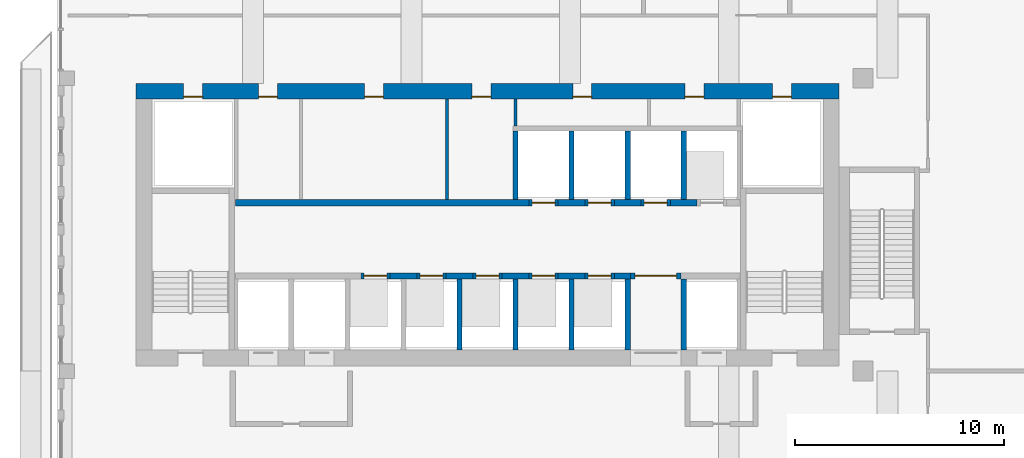
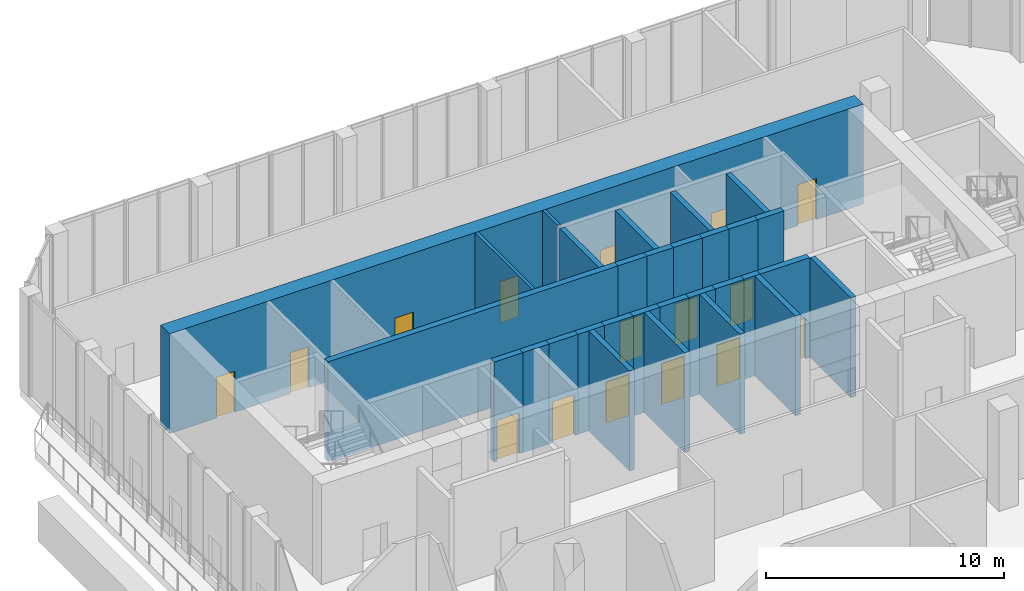
# One storey, part 12 of 18: 30 walls, 16 doors, 16 openings.
"""IFC4 building model written with IfcOpenShell, lengths in metres."""

from ifc_helpers import new_model, si_unit, direction, frame, frame_2d, origin, place, context, subcontext, project, spatial, rectangle, extrude, source, transform, mapped, material, layer, layer_set, type_object, element, fill, save


model = new_model("IFC4")

# Units and contexts
model_context = context("Model", 3, precision=1e-05, world=origin(), true_north=direction((0.0, 1.0)))
body_context = subcontext(model_context, "Body", "Model", "MODEL_VIEW")
ifc_project = project(units=[si_unit("LENGTHUNIT", "METRE"), si_unit("AREAUNIT", "SQUARE_METRE"), si_unit("VOLUMEUNIT", "CUBIC_METRE"), si_unit("PLANEANGLEUNIT", "RADIAN"), si_unit("MASSUNIT", "GRAM", prefix="KILO")], contexts=[model_context])

# Site, building, storey
site_placement = place(None, origin())
site = spatial("IfcSite", under=ifc_project, at=site_placement, CompositionType="ELEMENT")
building_placement = place(site_placement, origin())
building = spatial("IfcBuilding", under=site, at=building_placement, Name="Kilnfold Tower and Market Hall", CompositionType="ELEMENT")
storey_placement = place(building_placement, frame((0.0, 0.0, 233.60009765625)))
storey = spatial("IfcBuildingStorey", under=building, at=storey_placement, Name="L56", CompositionType="ELEMENT", Elevation=233.60009765625)

# Wall, openings, doors
ifc_material_1 = material(Name="Concrete C60", Category="concrete")
ifc_layer_1 = layer(ifc_material_1, 0.75)
ifc_layer_set_1 = layer_set([ifc_layer_1], Name="Concrete C60")
wall_type_1 = type_object("IfcWallType", Name="CORE WALL 750 C60", PredefinedType="SHEAR", material=ifc_layer_set_1)
shared_shape_1 = source(origin(), body_context, "Body", "SweptSolid", [
    extrude(rectangle(XDim=33.60009765625, YDim=0.75, at=frame_2d((16.800048828125, 0.0))), origin(), (0.0, 0.0, 1.0), 5.119873046875),
])
wall_1_placement = place(storey_placement, frame((-15.75, 21.375, 0.0), z_axis=(0.0, 0.0, 1.0), x_axis=(1.0, 0.0, 0.0)))
wall_1 = element("IfcWall", 1, at=wall_1_placement, inside=storey, type_object=wall_type_1, Name="Core outer wall north", PredefinedType="SHEAR", context=body_context, shape_type="MappedRepresentation", body=[
    mapped(shared_shape_1, transform((0.0, 0.0, 0.0))),
])
opening_1_placement = place(wall_1_placement, frame((5.85791015625, 0.0, 0.0)))
opening_1 = element("IfcOpeningElement", 2, at=opening_1_placement, cuts=wall_1, Name="Opening KD1", PredefinedType="OPENING", context=body_context, shape_type="SweptSolid", body=[
    extrude(rectangle(XDim=0.89990234375, YDim=2.10009765625, at=frame_2d((0.449951171875, 1.050048828125))), frame((0.0, 0.385009765625, 0.0), z_axis=(0.0, -1.0, 0.0), x_axis=(1.0, 0.0, 0.0)), (0.0, 0.0, 1.0), 0.77001953125),
])
opening_2_placement = place(wall_1_placement, frame((10.923095703125, 0.0, 0.0)))
opening_2 = element("IfcOpeningElement", 3, at=opening_2_placement, cuts=wall_1, Name="Opening KD1", PredefinedType="OPENING", context=body_context, shape_type="SweptSolid", body=[
    extrude(rectangle(XDim=0.89990234375, YDim=2.10009765625, at=frame_2d((0.449951171875, 1.050048828125))), frame((0.0, 0.385009765625, 0.0), z_axis=(0.0, -1.0, 0.0), x_axis=(1.0, 0.0, 0.0)), (0.0, 0.0, 1.0), 0.77001953125),
])
opening_3_placement = place(wall_1_placement, frame((16.05517578125, 0.0, 0.0)))
opening_3 = element("IfcOpeningElement", 4, at=opening_3_placement, cuts=wall_1, Name="Opening KD1", PredefinedType="OPENING", context=body_context, shape_type="SweptSolid", body=[
    extrude(rectangle(XDim=0.89990234375, YDim=2.10009765625, at=frame_2d((0.449951171875, 1.050048828125))), frame((0.0, 0.385009765625, 0.0), z_axis=(0.0, -1.0, 0.0), x_axis=(1.0, 0.0, 0.0)), (0.0, 0.0, 1.0), 0.77001953125),
])
opening_4_placement = place(wall_1_placement, frame((20.879150390625, 0.0, 0.0)))
opening_4 = element("IfcOpeningElement", 5, at=opening_4_placement, cuts=wall_1, Name="Opening KD1", PredefinedType="OPENING", context=body_context, shape_type="SweptSolid", body=[
    extrude(rectangle(XDim=0.89990234375, YDim=2.10009765625, at=frame_2d((0.449951171875, 1.050048828125))), frame((0.0, 0.385009765625, 0.0), z_axis=(0.0, -1.0, 0.0), x_axis=(1.0, 0.0, 0.0)), (0.0, 0.0, 1.0), 0.77001953125),
])
opening_5_placement = place(wall_1_placement, frame((26.2392578125, 0.0, 0.0)))
opening_5 = element("IfcOpeningElement", 6, at=opening_5_placement, cuts=wall_1, Name="Opening KD1", PredefinedType="OPENING", context=body_context, shape_type="SweptSolid", body=[
    extrude(rectangle(XDim=0.89990234375, YDim=2.10009765625, at=frame_2d((0.449951171875, 1.050048828125))), frame((0.0, 0.385009765625, 0.0), z_axis=(0.0, -1.0, 0.0), x_axis=(1.0, 0.0, 0.0)), (0.0, 0.0, 1.0), 0.77001953125),
])
opening_6_placement = place(wall_1_placement, frame((2.27490234375, 0.0, 0.0)))
opening_6 = element("IfcOpeningElement", 7, at=opening_6_placement, cuts=wall_1, Name="Opening KD1", PredefinedType="OPENING", context=body_context, shape_type="SweptSolid", body=[
    extrude(rectangle(XDim=0.89990234375, YDim=2.10009765625, at=frame_2d((0.449951171875, 1.050048828125))), frame((0.0, 0.385009765625, 0.0), z_axis=(0.0, -1.0, 0.0), x_axis=(1.0, 0.0, 0.0)), (0.0, 0.0, 1.0), 0.77001953125),
])
opening_7_placement = place(wall_1_placement, frame((30.425048828125, 0.0, 0.0)))
opening_7 = element("IfcOpeningElement", 8, at=opening_7_placement, cuts=wall_1, Name="Opening KD1", PredefinedType="OPENING", context=body_context, shape_type="SweptSolid", body=[
    extrude(rectangle(XDim=0.89990234375, YDim=2.10009765625, at=frame_2d((0.449951171875, 1.050048828125))), frame((0.0, 0.385009765625, 0.0), z_axis=(0.0, -1.0, 0.0), x_axis=(1.0, 0.0, 0.0)), (0.0, 0.0, 1.0), 0.77001953125),
])
ifc_material_2 = material(Name="Steel door set with fire-resisting leaf", Category="steel")
door_type_1 = type_object("IfcDoorType", Name="SERVICE DOOR 900X2100", OperationType="NOTDEFINED", PredefinedType="DOOR", material=ifc_material_2)
door_1_placement = place(opening_1_placement, origin())
door_1 = element("IfcDoor", 9, at=door_1_placement, inside=storey, type_object=door_type_1, Name="Core service door", OperationType="SINGLE_SWING_LEFT", OverallHeight=2.10009765625, OverallWidth=0.89990234375, PredefinedType="DOOR", context=body_context, shape_type="SweptSolid", body=[
    extrude(rectangle(XDim=0.89990234375, YDim=2.10009765625, at=frame_2d((0.449951171875, 1.050048828125))), frame((0.0, -0.22998046875, 0.0), z_axis=(0.0, -1.0, 0.0), x_axis=(1.0, 0.0, 0.0)), (0.0, 0.0, 1.0), 0.050048828125),
])
fill(opening_1, door_1)
door_2_placement = place(opening_2_placement, origin())
door_2 = element("IfcDoor", 10, at=door_2_placement, inside=storey, type_object=door_type_1, Name="Core service door", OperationType="SINGLE_SWING_RIGHT", OverallHeight=2.10009765625, OverallWidth=0.89990234375, PredefinedType="DOOR", context=body_context, shape_type="SweptSolid", body=[
    extrude(rectangle(XDim=0.89990234375, YDim=2.10009765625, at=frame_2d((0.449951171875, 1.050048828125))), frame((0.0, -0.22998046875, 0.0), z_axis=(0.0, -1.0, 0.0), x_axis=(1.0, 0.0, 0.0)), (0.0, 0.0, 1.0), 0.050048828125),
])
fill(opening_2, door_2)
door_3_placement = place(opening_3_placement, origin())
door_3 = element("IfcDoor", 11, at=door_3_placement, inside=storey, type_object=door_type_1, Name="Core service door", OperationType="SINGLE_SWING_LEFT", OverallHeight=2.10009765625, OverallWidth=0.89990234375, PredefinedType="DOOR", context=body_context, shape_type="SweptSolid", body=[
    extrude(rectangle(XDim=0.89990234375, YDim=2.10009765625, at=frame_2d((0.449951171875, 1.050048828125))), frame((0.0, -0.22998046875, 0.0), z_axis=(0.0, -1.0, 0.0), x_axis=(1.0, 0.0, 0.0)), (0.0, 0.0, 1.0), 0.050048828125),
])
fill(opening_3, door_3)
door_4_placement = place(opening_4_placement, origin())
door_4 = element("IfcDoor", 12, at=door_4_placement, inside=storey, type_object=door_type_1, Name="Core service door", OperationType="SINGLE_SWING_RIGHT", OverallHeight=2.10009765625, OverallWidth=0.89990234375, PredefinedType="DOOR", context=body_context, shape_type="SweptSolid", body=[
    extrude(rectangle(XDim=0.89990234375, YDim=2.10009765625, at=frame_2d((0.449951171875, 1.050048828125))), frame((0.0, -0.22998046875, 0.0), z_axis=(0.0, -1.0, 0.0), x_axis=(1.0, 0.0, 0.0)), (0.0, 0.0, 1.0), 0.050048828125),
])
fill(opening_4, door_4)
door_5_placement = place(opening_5_placement, origin())
door_5 = element("IfcDoor", 13, at=door_5_placement, inside=storey, type_object=door_type_1, Name="Core service door", OperationType="SINGLE_SWING_LEFT", OverallHeight=2.10009765625, OverallWidth=0.89990234375, PredefinedType="DOOR", context=body_context, shape_type="SweptSolid", body=[
    extrude(rectangle(XDim=0.89990234375, YDim=2.10009765625, at=frame_2d((0.449951171875, 1.050048828125))), frame((0.0, -0.22998046875, 0.0), z_axis=(0.0, -1.0, 0.0), x_axis=(1.0, 0.0, 0.0)), (0.0, 0.0, 1.0), 0.050048828125),
])
fill(opening_5, door_5)
door_6_placement = place(opening_6_placement, origin())
door_6 = element("IfcDoor", 14, at=door_6_placement, inside=storey, type_object=door_type_1, Name="Electrical riser access door", OperationType="SINGLE_SWING_RIGHT", OverallHeight=2.10009765625, OverallWidth=0.89990234375, PredefinedType="DOOR", context=body_context, shape_type="SweptSolid", body=[
    extrude(rectangle(XDim=0.89990234375, YDim=2.10009765625, at=frame_2d((0.449951171875, 1.050048828125))), frame((0.0, -0.22998046875, 0.0), z_axis=(0.0, -1.0, 0.0), x_axis=(1.0, 0.0, 0.0)), (0.0, 0.0, 1.0), 0.050048828125),
])
fill(opening_6, door_6)
door_7_placement = place(opening_7_placement, origin())
door_7 = element("IfcDoor", 15, at=door_7_placement, inside=storey, type_object=door_type_1, Name="Mechanical riser access door", OperationType="SINGLE_SWING_LEFT", OverallHeight=2.10009765625, OverallWidth=0.89990234375, PredefinedType="DOOR", context=body_context, shape_type="SweptSolid", body=[
    extrude(rectangle(XDim=0.89990234375, YDim=2.10009765625, at=frame_2d((0.449951171875, 1.050048828125))), frame((0.0, -0.22998046875, 0.0), z_axis=(0.0, -1.0, 0.0), x_axis=(1.0, 0.0, 0.0)), (0.0, 0.0, 1.0), 0.050048828125),
])
fill(opening_7, door_7)

# Walls
ifc_material_3 = material(Name="Concrete C60", Category="concrete")
ifc_layer_2 = layer(ifc_material_3, 0.300048828125)
ifc_layer_set_2 = layer_set([ifc_layer_2], Name="Concrete C60")
wall_type_2 = type_object("IfcWallType", Name="CORE WALL 300 C60", PredefinedType="SHEAR", material=ifc_layer_set_2)
shared_shape_2 = source(origin(), body_context, "Body", "SweptSolid", [
    extrude(rectangle(XDim=1.280029296875, YDim=0.300048828125, at=frame_2d((0.64013671875, 0.0))), origin(), (0.0, 0.0, 1.0), 5.119873046875),
])
for number, where, z_axis, x_axis, name in (
    (16, (-3.610107421875, 12.550048828125, 0.0), (0.0, 0.0, 1.0), (1.0, 0.0, 0.0), "Core spine wall"),
    (17, (-0.929931640625, 12.550048828125, 0.0), (0.0, 0.0, 1.0), (1.0, 0.0, 0.0), "Core spine wall"),
    (18, (1.75, 12.550048828125, 0.0), (0.0, 0.0, 1.0), (1.0, 0.0, 0.0), "Core spine wall"),
    (19, (4.429931640625, 12.550048828125, 0.0), (0.0, 0.0, 1.0), (1.0, 0.0, 0.0), "Core spine wall"),
    (20, (4.429931640625, 16.050048828125, 0.0), (0.0, 0.0, 1.0), (1.0, 0.0, 0.0), "Core spine wall"),
    (21, (9.7900390625, 16.050048828125, 0.0), (0.0, 0.0, 1.0), (1.0, 0.0, 0.0), "Core spine wall"),
):
    element("IfcWall", number, at=place(storey_placement, frame(where, z_axis=z_axis, x_axis=x_axis)), inside=storey, type_object=wall_type_2, Name=name, PredefinedType="SHEAR", context=body_context, shape_type="MappedRepresentation", body=[
        mapped(shared_shape_2, transform((0.0, 0.0, 0.0))),
    ])
shared_shape_3 = source(origin(), body_context, "Body", "SweptSolid", [
    extrude(rectangle(XDim=0.77978515625, YDim=0.300048828125, at=frame_2d((0.389892578125, 0.0))), origin(), (0.0, 0.0, 1.0), 5.119873046875),
])
wall_2_placement = place(storey_placement, frame((7.110107421875, 12.550048828125, 0.0), z_axis=(0.0, 0.0, 1.0), x_axis=(1.0, 0.0, 0.0)))
element("IfcWall", 22, at=wall_2_placement, inside=storey, type_object=wall_type_2, Name="Core spine wall", PredefinedType="SHEAR", context=body_context, shape_type="MappedRepresentation", body=[
    mapped(shared_shape_3, transform((0.0, 0.0, 0.0))),
])
shared_shape_4 = source(origin(), body_context, "Body", "SweptSolid", [
    extrude(rectangle(XDim=14.0400390625, YDim=0.300048828125, at=frame_2d((7.02001953125, 0.0))), origin(), (0.0, 0.0, 1.0), 5.119873046875),
])
wall_3_placement = place(storey_placement, frame((-11.010009765625, 16.050048828125, 0.0), z_axis=(0.0, 0.0, 1.0), x_axis=(1.0, 0.0, 0.0)))
element("IfcWall", 23, at=wall_3_placement, inside=storey, type_object=wall_type_2, Name="Core spine wall", PredefinedType="SHEAR", context=body_context, shape_type="MappedRepresentation", body=[
    mapped(shared_shape_4, transform((0.0, 0.0, 0.0))),
])
shared_shape_5 = source(origin(), body_context, "Body", "SweptSolid", [
    extrude(rectangle(XDim=1.27978515625, YDim=0.300048828125, at=frame_2d((0.639892578125, 0.0))), origin(), (0.0, 0.0, 1.0), 5.119873046875),
])
wall_4_placement = place(storey_placement, frame((7.110107421875, 16.050048828125, 0.0), z_axis=(0.0, 0.0, 1.0), x_axis=(1.0, 0.0, 0.0)))
element("IfcWall", 24, at=wall_4_placement, inside=storey, type_object=wall_type_2, Name="Core spine wall", PredefinedType="SHEAR", context=body_context, shape_type="MappedRepresentation", body=[
    mapped(shared_shape_5, transform((0.0, 0.0, 0.0))),
])

# Wall, opening, door
ifc_material_4 = material(Name="Gypsum shaft wall system")
ifc_layer_3 = layer(ifc_material_4, 0.300048828125)
ifc_layer_set_3 = layer_set([ifc_layer_3], Name="Gypsum shaft wall system")
wall_type_3 = type_object("IfcWallType", Name="SHAFT WALL 300", PredefinedType="PARTITIONING", material=ifc_layer_set_3)
shared_shape_6 = source(origin(), body_context, "Body", "SweptSolid", [
    extrude(rectangle(XDim=1.39990234375, YDim=0.300048828125, at=frame_2d((0.699951171875, 0.0))), origin(), (0.0, 0.0, 1.0), 5.119873046875),
])
wall_5_placement = place(storey_placement, frame((-5.010009765625, 12.550048828125, 0.0), z_axis=(0.0, 0.0, 1.0), x_axis=(1.0, 0.0, 0.0)))
wall_5 = element("IfcWall", 25, at=wall_5_placement, inside=storey, type_object=wall_type_3, Name="Lift shaft front wall", PredefinedType="PARTITIONING", context=body_context, shape_type="MappedRepresentation", body=[
    mapped(shared_shape_6, transform((0.0, 0.0, 0.0))),
])
opening_8_placement = place(wall_5_placement, frame((0.14990234375, 0.0, 0.0)))
opening_8 = element("IfcOpeningElement", 26, at=opening_8_placement, cuts=wall_5, Name="Opening LD2", PredefinedType="OPENING", context=body_context, shape_type="SweptSolid", body=[
    extrude(rectangle(XDim=1.10009765625, YDim=2.10009765625, at=frame_2d((0.550048828125, 1.050048828125))), frame((0.0, 0.16015625, 0.0), z_axis=(0.0, -1.0, 0.0), x_axis=(1.0, 0.0, 0.0)), (0.0, 0.0, 1.0), 0.320068359375),
])
ifc_material_5 = material(Name="Steel door set with fire-resisting leaf", Category="steel")
door_type_2 = type_object("IfcDoorType", Name="LANDING DOOR 1100X2100", OperationType="NOTDEFINED", PredefinedType="DOOR", material=ifc_material_5)
door_8_placement = place(opening_8_placement, origin())
door_8 = element("IfcDoor", 27, at=door_8_placement, inside=storey, type_object=door_type_2, Name="Landing door HR1", OperationType="DOUBLE_DOOR_SLIDING", OverallHeight=2.10009765625, OverallWidth=1.10009765625, PredefinedType="DOOR", context=body_context, shape_type="SweptSolid", body=[
    extrude(rectangle(XDim=1.10009765625, YDim=2.10009765625, at=frame_2d((0.550048828125, 1.050048828125))), frame((0.0, 0.02490234375, 0.0), z_axis=(0.0, -1.0, 0.0), x_axis=(1.0, 0.0, 0.0)), (0.0, 0.0, 1.0), 0.050048828125),
])
fill(opening_8, door_8)

wall_6_placement = place(storey_placement, frame((0.35009765625, 12.550048828125, 0.0), z_axis=(0.0, 0.0, 1.0), x_axis=(1.0, 0.0, 0.0)))
wall_6 = element("IfcWall", 28, at=wall_6_placement, inside=storey, type_object=wall_type_3, Name="Lift shaft front wall", PredefinedType="PARTITIONING", context=body_context, shape_type="MappedRepresentation", body=[
    mapped(shared_shape_6, transform((0.0, 0.0, 0.0))),
])
opening_9_placement = place(wall_6_placement, frame((0.14990234375, 0.0, 0.0)))
opening_9 = element("IfcOpeningElement", 29, at=opening_9_placement, cuts=wall_6, Name="Opening LD2", PredefinedType="OPENING", context=body_context, shape_type="SweptSolid", body=[
    extrude(rectangle(XDim=1.10009765625, YDim=2.10009765625, at=frame_2d((0.550048828125, 1.050048828125))), frame((0.0, 0.16015625, 0.0), z_axis=(0.0, -1.0, 0.0), x_axis=(1.0, 0.0, 0.0)), (0.0, 0.0, 1.0), 0.320068359375),
])
door_9_placement = place(opening_9_placement, origin())
door_9 = element("IfcDoor", 30, at=door_9_placement, inside=storey, type_object=door_type_2, Name="Landing door HR3", OperationType="DOUBLE_DOOR_SLIDING", OverallHeight=2.10009765625, OverallWidth=1.10009765625, PredefinedType="DOOR", context=body_context, shape_type="SweptSolid", body=[
    extrude(rectangle(XDim=1.10009765625, YDim=2.10009765625, at=frame_2d((0.550048828125, 1.050048828125))), frame((0.0, 0.02490234375, 0.0), z_axis=(0.0, -1.0, 0.0), x_axis=(1.0, 0.0, 0.0)), (0.0, 0.0, 1.0), 0.050048828125),
])
fill(opening_9, door_9)

wall_7_placement = place(storey_placement, frame((3.030029296875, 12.550048828125, 0.0), z_axis=(0.0, 0.0, 1.0), x_axis=(1.0, 0.0, 0.0)))
wall_7 = element("IfcWall", 31, at=wall_7_placement, inside=storey, type_object=wall_type_3, Name="Lift shaft front wall", PredefinedType="PARTITIONING", context=body_context, shape_type="MappedRepresentation", body=[
    mapped(shared_shape_6, transform((0.0, 0.0, 0.0))),
])
opening_10_placement = place(wall_7_placement, frame((0.14990234375, 0.0, 0.0)))
opening_10 = element("IfcOpeningElement", 32, at=opening_10_placement, cuts=wall_7, Name="Opening LD2", PredefinedType="OPENING", context=body_context, shape_type="SweptSolid", body=[
    extrude(rectangle(XDim=1.10009765625, YDim=2.10009765625, at=frame_2d((0.550048828125, 1.050048828125))), frame((0.0, 0.16015625, 0.0), z_axis=(0.0, -1.0, 0.0), x_axis=(1.0, 0.0, 0.0)), (0.0, 0.0, 1.0), 0.320068359375),
])
door_10_placement = place(opening_10_placement, origin())
door_10 = element("IfcDoor", 33, at=door_10_placement, inside=storey, type_object=door_type_2, Name="Landing door HR4", OperationType="DOUBLE_DOOR_SLIDING", OverallHeight=2.10009765625, OverallWidth=1.10009765625, PredefinedType="DOOR", context=body_context, shape_type="SweptSolid", body=[
    extrude(rectangle(XDim=1.10009765625, YDim=2.10009765625, at=frame_2d((0.550048828125, 1.050048828125))), frame((0.0, 0.02490234375, 0.0), z_axis=(0.0, -1.0, 0.0), x_axis=(1.0, 0.0, 0.0)), (0.0, 0.0, 1.0), 0.050048828125),
])
fill(opening_10, door_10)

wall_8_placement = place(storey_placement, frame((3.030029296875, 16.050048828125, 0.0), z_axis=(0.0, 0.0, 1.0), x_axis=(1.0, 0.0, 0.0)))
wall_8 = element("IfcWall", 34, at=wall_8_placement, inside=storey, type_object=wall_type_3, Name="Lift shaft front wall", PredefinedType="PARTITIONING", context=body_context, shape_type="MappedRepresentation", body=[
    mapped(shared_shape_6, transform((0.0, 0.0, 0.0))),
])
opening_11_placement = place(wall_8_placement, frame((0.14990234375, 0.0, 0.0)))
opening_11 = element("IfcOpeningElement", 35, at=opening_11_placement, cuts=wall_8, Name="Opening LD2", PredefinedType="OPENING", context=body_context, shape_type="SweptSolid", body=[
    extrude(rectangle(XDim=1.10009765625, YDim=2.10009765625, at=frame_2d((0.550048828125, 1.050048828125))), frame((0.0, 0.16015625, 0.0), z_axis=(0.0, -1.0, 0.0), x_axis=(1.0, 0.0, 0.0)), (0.0, 0.0, 1.0), 0.320068359375),
])
door_11_placement = place(opening_11_placement, origin())
door_11 = element("IfcDoor", 36, at=door_11_placement, inside=storey, type_object=door_type_2, Name="Landing door SH4", OperationType="DOUBLE_DOOR_SLIDING", OverallHeight=2.10009765625, OverallWidth=1.10009765625, PredefinedType="DOOR", context=body_context, shape_type="SweptSolid", body=[
    extrude(rectangle(XDim=1.10009765625, YDim=2.10009765625, at=frame_2d((0.550048828125, 1.050048828125))), frame((0.0, 0.02490234375, 0.0), z_axis=(0.0, -1.0, 0.0), x_axis=(1.0, 0.0, 0.0)), (0.0, 0.0, 1.0), 0.050048828125),
])
fill(opening_11, door_11)

shared_shape_7 = source(origin(), body_context, "Body", "SweptSolid", [
    extrude(rectangle(XDim=1.400146484375, YDim=0.300048828125, at=frame_2d((0.7001953125, 0.0))), origin(), (0.0, 0.0, 1.0), 5.119873046875),
])
wall_9_placement = place(storey_placement, frame((-2.330078125, 12.550048828125, 0.0), z_axis=(0.0, 0.0, 1.0), x_axis=(1.0, 0.0, 0.0)))
wall_9 = element("IfcWall", 37, at=wall_9_placement, inside=storey, type_object=wall_type_3, Name="Lift shaft front wall", PredefinedType="PARTITIONING", context=body_context, shape_type="MappedRepresentation", body=[
    mapped(shared_shape_7, transform((0.0, 0.0, 0.0))),
])
opening_12_placement = place(wall_9_placement, frame((0.14990234375, 0.0, 0.0)))
opening_12 = element("IfcOpeningElement", 38, at=opening_12_placement, cuts=wall_9, Name="Opening LD2", PredefinedType="OPENING", context=body_context, shape_type="SweptSolid", body=[
    extrude(rectangle(XDim=1.10009765625, YDim=2.10009765625, at=frame_2d((0.550048828125, 1.050048828125))), frame((0.0, 0.16015625, 0.0), z_axis=(0.0, -1.0, 0.0), x_axis=(1.0, 0.0, 0.0)), (0.0, 0.0, 1.0), 0.320068359375),
])
door_12_placement = place(opening_12_placement, origin())
door_12 = element("IfcDoor", 39, at=door_12_placement, inside=storey, type_object=door_type_2, Name="Landing door HR2", OperationType="DOUBLE_DOOR_SLIDING", OverallHeight=2.10009765625, OverallWidth=1.10009765625, PredefinedType="DOOR", context=body_context, shape_type="SweptSolid", body=[
    extrude(rectangle(XDim=1.10009765625, YDim=2.10009765625, at=frame_2d((0.550048828125, 1.050048828125))), frame((0.0, 0.02490234375, 0.0), z_axis=(0.0, -1.0, 0.0), x_axis=(1.0, 0.0, 0.0)), (0.0, 0.0, 1.0), 0.050048828125),
])
fill(opening_12, door_12)

wall_10_placement = place(storey_placement, frame((5.7099609375, 12.550048828125, 0.0), z_axis=(0.0, 0.0, 1.0), x_axis=(1.0, 0.0, 0.0)))
wall_10 = element("IfcWall", 40, at=wall_10_placement, inside=storey, type_object=wall_type_3, Name="Lift shaft front wall", PredefinedType="PARTITIONING", context=body_context, shape_type="MappedRepresentation", body=[
    mapped(shared_shape_7, transform((0.0, 0.0, 0.0))),
])
opening_13_placement = place(wall_10_placement, frame((0.14990234375, 0.0, 0.0)))
opening_13 = element("IfcOpeningElement", 41, at=opening_13_placement, cuts=wall_10, Name="Opening LD2", PredefinedType="OPENING", context=body_context, shape_type="SweptSolid", body=[
    extrude(rectangle(XDim=1.10009765625, YDim=2.10009765625, at=frame_2d((0.550048828125, 1.050048828125))), frame((0.0, 0.16015625, 0.0), z_axis=(0.0, -1.0, 0.0), x_axis=(1.0, 0.0, 0.0)), (0.0, 0.0, 1.0), 0.320068359375),
])
door_13_placement = place(opening_13_placement, origin())
door_13 = element("IfcDoor", 42, at=door_13_placement, inside=storey, type_object=door_type_2, Name="Landing door HR5", OperationType="DOUBLE_DOOR_SLIDING", OverallHeight=2.10009765625, OverallWidth=1.10009765625, PredefinedType="DOOR", context=body_context, shape_type="SweptSolid", body=[
    extrude(rectangle(XDim=1.10009765625, YDim=2.10009765625, at=frame_2d((0.550048828125, 1.050048828125))), frame((0.0, 0.02490234375, 0.0), z_axis=(0.0, -1.0, 0.0), x_axis=(1.0, 0.0, 0.0)), (0.0, 0.0, 1.0), 0.050048828125),
])
fill(opening_13, door_13)

wall_11_placement = place(storey_placement, frame((5.7099609375, 16.050048828125, 0.0), z_axis=(0.0, 0.0, 1.0), x_axis=(1.0, 0.0, 0.0)))
wall_11 = element("IfcWall", 43, at=wall_11_placement, inside=storey, type_object=wall_type_3, Name="Lift shaft front wall", PredefinedType="PARTITIONING", context=body_context, shape_type="MappedRepresentation", body=[
    mapped(shared_shape_7, transform((0.0, 0.0, 0.0))),
])
opening_14_placement = place(wall_11_placement, frame((0.14990234375, 0.0, 0.0)))
opening_14 = element("IfcOpeningElement", 44, at=opening_14_placement, cuts=wall_11, Name="Opening LD2", PredefinedType="OPENING", context=body_context, shape_type="SweptSolid", body=[
    extrude(rectangle(XDim=1.10009765625, YDim=2.10009765625, at=frame_2d((0.550048828125, 1.050048828125))), frame((0.0, 0.16015625, 0.0), z_axis=(0.0, -1.0, 0.0), x_axis=(1.0, 0.0, 0.0)), (0.0, 0.0, 1.0), 0.320068359375),
])
door_14_placement = place(opening_14_placement, origin())
door_14 = element("IfcDoor", 45, at=door_14_placement, inside=storey, type_object=door_type_2, Name="Landing door SH5", OperationType="DOUBLE_DOOR_SLIDING", OverallHeight=2.10009765625, OverallWidth=1.10009765625, PredefinedType="DOOR", context=body_context, shape_type="SweptSolid", body=[
    extrude(rectangle(XDim=1.10009765625, YDim=2.10009765625, at=frame_2d((0.550048828125, 1.050048828125))), frame((0.0, 0.02490234375, 0.0), z_axis=(0.0, -1.0, 0.0), x_axis=(1.0, 0.0, 0.0)), (0.0, 0.0, 1.0), 0.050048828125),
])
fill(opening_14, door_14)

wall_12_placement = place(storey_placement, frame((8.389892578125, 16.050048828125, 0.0), z_axis=(0.0, 0.0, 1.0), x_axis=(1.0, 0.0, 0.0)))
wall_12 = element("IfcWall", 46, at=wall_12_placement, inside=storey, type_object=wall_type_3, Name="Lift shaft front wall", PredefinedType="PARTITIONING", context=body_context, shape_type="MappedRepresentation", body=[
    mapped(shared_shape_7, transform((0.0, 0.0, 0.0))),
])
opening_15_placement = place(wall_12_placement, frame((0.14990234375, 0.0, 0.0)))
opening_15 = element("IfcOpeningElement", 47, at=opening_15_placement, cuts=wall_12, Name="Opening LD2", PredefinedType="OPENING", context=body_context, shape_type="SweptSolid", body=[
    extrude(rectangle(XDim=1.10009765625, YDim=2.10009765625, at=frame_2d((0.550048828125, 1.050048828125))), frame((0.0, 0.16015625, 0.0), z_axis=(0.0, -1.0, 0.0), x_axis=(1.0, 0.0, 0.0)), (0.0, 0.0, 1.0), 0.320068359375),
])
door_15_placement = place(opening_15_placement, origin())
door_15 = element("IfcDoor", 48, at=door_15_placement, inside=storey, type_object=door_type_2, Name="Landing door SH6", OperationType="DOUBLE_DOOR_SLIDING", OverallHeight=2.10009765625, OverallWidth=1.10009765625, PredefinedType="DOOR", context=body_context, shape_type="SweptSolid", body=[
    extrude(rectangle(XDim=1.10009765625, YDim=2.10009765625, at=frame_2d((0.550048828125, 1.050048828125))), frame((0.0, 0.02490234375, 0.0), z_axis=(0.0, -1.0, 0.0), x_axis=(1.0, 0.0, 0.0)), (0.0, 0.0, 1.0), 0.050048828125),
])
fill(opening_15, door_15)

shared_shape_8 = source(origin(), body_context, "Body", "SweptSolid", [
    extrude(rectangle(XDim=2.400146484375, YDim=0.300048828125, at=frame_2d((1.2001953125, 0.0))), origin(), (0.0, 0.0, 1.0), 5.119873046875),
])
wall_13_placement = place(storey_placement, frame((7.889892578125, 12.550048828125, 0.0), z_axis=(0.0, 0.0, 1.0), x_axis=(1.0, 0.0, 0.0)))
wall_13 = element("IfcWall", 49, at=wall_13_placement, inside=storey, type_object=wall_type_3, Name="Lift shaft front wall", PredefinedType="PARTITIONING", context=body_context, shape_type="MappedRepresentation", body=[
    mapped(shared_shape_8, transform((0.0, 0.0, 0.0))),
])
opening_16_placement = place(wall_13_placement, frame((0.199951171875, 0.0, 0.0)))
opening_16 = element("IfcOpeningElement", 50, at=opening_16_placement, cuts=wall_13, Name="Opening VD2", PredefinedType="OPENING", context=body_context, shape_type="SweptSolid", body=[
    extrude(rectangle(XDim=2.0, YDim=2.10009765625, at=frame_2d((1.0, 1.050048828125))), frame((0.0, 0.16015625, 0.0), z_axis=(0.0, -1.0, 0.0), x_axis=(1.0, 0.0, 0.0)), (0.0, 0.0, 1.0), 0.320068359375),
])
ifc_material_6 = material(Name="Steel door set with fire-resisting leaf", Category="steel")
door_type_3 = type_object("IfcDoorType", Name="LIFT LOBBY ENTRANCE DOOR 2000X2100", OperationType="NOTDEFINED", PredefinedType="DOOR", material=ifc_material_6)
door_16_placement = place(opening_16_placement, origin())
door_16 = element("IfcDoor", 51, at=door_16_placement, inside=storey, type_object=door_type_3, Name="Lift lobby entrance door", OperationType="DOUBLE_DOOR_SINGLE_SWING", OverallHeight=2.10009765625, OverallWidth=2.0, PredefinedType="DOOR", context=body_context, shape_type="SweptSolid", body=[
    extrude(rectangle(XDim=2.0, YDim=2.10009765625, at=frame_2d((1.0, 1.050048828125))), frame((0.0, 0.02490234375, 0.0), z_axis=(0.0, -1.0, 0.0), x_axis=(1.0, 0.0, 0.0)), (0.0, 0.0, 1.0), 0.050048828125),
])
fill(opening_16, door_16)

# Walls
ifc_material_7 = material(Name="Gypsum shaft wall system")
ifc_layer_4 = layer(ifc_material_7, 0.25)
ifc_layer_set_4 = layer_set([ifc_layer_4], Name="Gypsum shaft wall system")
wall_type_4 = type_object("IfcWallType", Name="SHAFT WALL 250", PredefinedType="PARTITIONING", material=ifc_layer_set_4)
shared_shape_9 = source(origin(), body_context, "Body", "SweptSolid", [
    extrude(rectangle(XDim=3.275146484375, YDim=0.25, at=frame_2d((1.6376953125, 0.0))), origin(), (0.0, 0.0, 1.0), 5.119873046875),
])
for number, where, z_axis, x_axis, name in (
    (52, (10.429931640625, 16.199951171875, 0.0), (0.0, 0.0, 1.0), (0.0, 1.0, 0.0), "Lift shaft wall"),
    (53, (2.389892578125, 16.199951171875, 0.0), (0.0, 0.0, 1.0), (0.0, 1.0, 0.0), "Lift shaft wall"),
    (54, (5.070068359375, 16.199951171875, 0.0), (0.0, 0.0, 1.0), (0.0, 1.0, 0.0), "Lift shaft wall"),
    (55, (7.75, 16.199951171875, 0.0), (0.0, 0.0, 1.0), (0.0, 1.0, 0.0), "Lift shaft wall"),
):
    element("IfcWall", number, at=place(storey_placement, frame(where, z_axis=z_axis, x_axis=x_axis)), inside=storey, type_object=wall_type_4, Name=name, PredefinedType="PARTITIONING", context=body_context, shape_type="MappedRepresentation", body=[
        mapped(shared_shape_9, transform((0.0, 0.0, 0.0))),
    ])
shared_shape_10 = source(origin(), body_context, "Body", "SweptSolid", [
    extrude(rectangle(XDim=3.39990234375, YDim=0.25, at=frame_2d((1.699951171875, 0.0))), origin(), (0.0, 0.0, 1.0), 5.119873046875),
])
for number, where, z_axis, x_axis, name in (
    (56, (10.429931640625, 9.0, 0.0), (0.0, 0.0, 1.0), (0.0, 1.0, 0.0), "Lift shaft wall"),
    (57, (2.389892578125, 9.0, 0.0), (0.0, 0.0, 1.0), (0.0, 1.0, 0.0), "Lift shaft wall"),
    (58, (5.070068359375, 9.0, 0.0), (0.0, 0.0, 1.0), (0.0, 1.0, 0.0), "Lift shaft wall"),
    (59, (7.75, 9.0, 0.0), (0.0, 0.0, 1.0), (0.0, 1.0, 0.0), "Lift shaft wall"),
    (60, (-0.2900390625, 9.0, 0.0), (0.0, 0.0, 1.0), (0.0, 1.0, 0.0), "Lift shaft wall"),
):
    element("IfcWall", number, at=place(storey_placement, frame(where, z_axis=z_axis, x_axis=x_axis)), inside=storey, type_object=wall_type_4, Name=name, PredefinedType="PARTITIONING", context=body_context, shape_type="MappedRepresentation", body=[
        mapped(shared_shape_10, transform((0.0, 0.0, 0.0))),
    ])
ifc_material_8 = material(Name="Gypsum shaft wall system")
ifc_layer_5 = layer(ifc_material_8, 0.14990234375)
ifc_layer_set_5 = layer_set([ifc_layer_5], Name="Gypsum shaft wall system")
wall_type_5 = type_object("IfcWallType", Name="ROOM WALL 150", PredefinedType="PARTITIONING", material=ifc_layer_set_5)
shared_shape_11 = source(origin(), body_context, "Body", "SweptSolid", [
    extrude(rectangle(XDim=4.800048828125, YDim=0.14990234375, at=frame_2d((2.39990234375, 0.0))), origin(), (0.0, 0.0, 1.0), 5.119873046875),
])
wall_14_placement = place(storey_placement, frame((-0.879638671875, 16.199951171875, 0.0), z_axis=(0.0, 0.0, 1.0), x_axis=(0.0, 1.0, 0.0)))
element("IfcWall", 61, at=wall_14_placement, inside=storey, type_object=wall_type_5, Name="Core room wall", PredefinedType="PARTITIONING", context=body_context, shape_type="MappedRepresentation", body=[
    mapped(shared_shape_11, transform((0.0, 0.0, 0.0))),
])
shared_shape_12 = source(origin(), body_context, "Body", "SweptSolid", [
    extrude(rectangle(XDim=1.27490234375, YDim=0.14990234375, at=frame_2d((0.637451171875, 0.0))), origin(), (0.0, 0.0, 1.0), 5.119873046875),
])
wall_15_placement = place(storey_placement, frame((2.389892578125, 19.72509765625, 0.0), z_axis=(0.0, 0.0, 1.0), x_axis=(0.0, 1.0, 0.0)))
element("IfcWall", 62, at=wall_15_placement, inside=storey, type_object=wall_type_5, Name="Core room wall", PredefinedType="PARTITIONING", context=body_context, shape_type="MappedRepresentation", body=[
    mapped(shared_shape_12, transform((0.0, 0.0, 0.0))),
])

save(model, "model.ifc")
